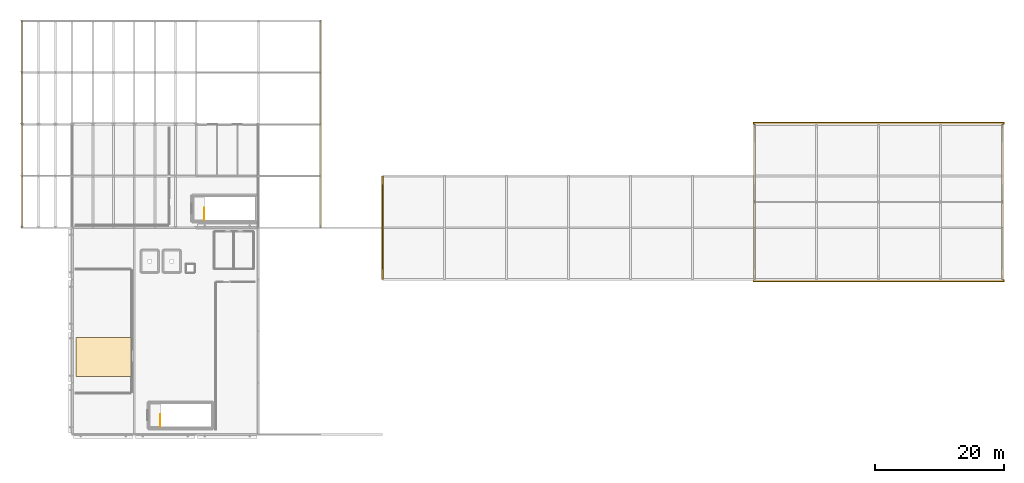
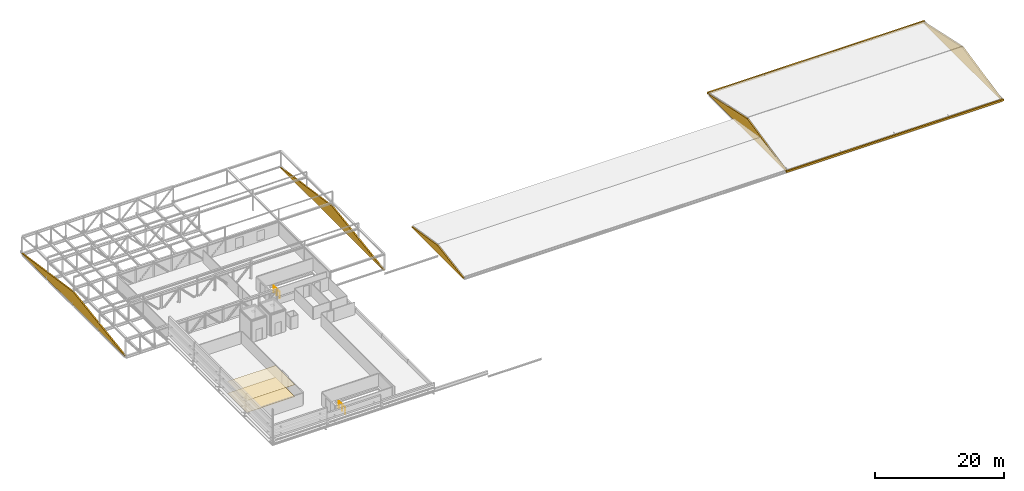
# One storey, part 34 of 34: 9 coverings, 2 railings.
"""IFC4 building model written with IfcOpenShell, lengths in metres."""

from ifc_helpers import new_model, si_unit, direction, frame, frame_2d, origin, origin_2d, place, context, subcontext, project, spatial, polyline, rectangle, circle, outline, extrude, material, layer, layer_set, type_object, element, save


model = new_model("IFC4")

# Units and contexts
model_context = context("Model", 3, precision=1e-05, world=origin(), true_north=direction((0.0, 1.0)))
body_context = subcontext(model_context, "Body", "Model", "MODEL_VIEW")
ifc_project = project(units=[si_unit("LENGTHUNIT", "METRE"), si_unit("AREAUNIT", "SQUARE_METRE"), si_unit("VOLUMEUNIT", "CUBIC_METRE"), si_unit("PLANEANGLEUNIT", "RADIAN"), si_unit("MASSUNIT", "GRAM", prefix="KILO")], contexts=[model_context])

# Site, building, storey
site_placement = place(None, origin())
site = spatial("IfcSite", under=ifc_project, at=site_placement, CompositionType="ELEMENT")
building_placement = place(site_placement, origin())
building = spatial("IfcBuilding", under=site, at=building_placement, Name="Alderhovde Museum", CompositionType="ELEMENT")
storey_placement = place(building_placement, frame((0.0, 0.0, 25.800048828125)))
storey = spatial("IfcBuildingStorey", under=building, at=storey_placement, Name="L05", CompositionType="ELEMENT", Elevation=25.800048828125)

# Coverings
ifc_material_1 = material(Name="Perforated Gypsum Acoustic Ceiling")
ifc_layer_1 = layer(ifc_material_1, 0.0400390625)
ifc_layer_set_1 = layer_set([ifc_layer_1], Name="Perforated Gypsum Acoustic Ceiling")
covering_type_1 = type_object("IfcCoveringType", Name="COV-CEIL-ACOU", PredefinedType="CEILING", material=ifc_layer_set_1)
covering_1_placement = place(storey_placement, frame((0.0, 0.0, 2.25)))
element("IfcCovering", 1, at=covering_1_placement, inside=storey, type_object=covering_type_1, Name="L05 Acoustic Gallery Ceiling 10", PredefinedType="CEILING", context=body_context, shape_type="SweptSolid", body=[
    extrude(outline(polyline([(10.199951171875, 57.0), (18.739990234375, 57.0), (18.739990234375, 63.0), (10.199951171875, 63.0), (10.199951171875, 57.0)])), origin(), (0.0, 0.0, 1.0), 0.0400390625),
])
ifc_material_2 = material(Name="Carved Jura Limestone Classical Cornice Moulding", Category="masonry")
ifc_layer_2 = layer(ifc_material_2, 0.280029296875)
ifc_layer_set_2 = layer_set([ifc_layer_2], Name="Carved Jura Limestone Classical Cornice Moulding")
covering_type_2 = type_object("IfcCoveringType", Name="COV-CORNICE-STONE", PredefinedType="MOLDING", material=ifc_layer_set_2)
for number, where, z_axis, x_axis, name in (
    (2, (115.0, 71.820068359375, -0.35009765625), (0.0, 0.0, 1.0), (1.0, 0.0, 0.0), "L05 Classical Beaux-Arts Limestone Cornice 11"),
    (3, (115.0, 96.179931640625, -0.35009765625), (0.0, 0.0, 1.0), (1.0, 0.0, 0.0), "L05 Classical Beaux-Arts Limestone Cornice 12"),
):
    element("IfcCovering", number, at=place(storey_placement, frame(where, z_axis=z_axis, x_axis=x_axis)), inside=storey, type_object=covering_type_2, Name=name, PredefinedType="MOLDING", context=body_context, shape_type="SweptSolid", body=[
        extrude(rectangle(XDim=38.800048828125, YDim=0.280029296875, at=frame_2d((19.39990234375, 0.0))), origin(), (0.0, 0.0, 1.0), 0.330078125),
    ])
ifc_material_3 = material(Name="Honed Nordic Granite Terrazzo Flooring", Category="masonry")
ifc_layer_3 = layer(ifc_material_3, 0.030029296875)
ifc_layer_set_3 = layer_set([ifc_layer_3], Name="Honed Nordic Granite Terrazzo Flooring")
covering_type_3 = type_object("IfcCoveringType", Name="COV-FLR-TERRAZZO", PredefinedType="FLOORING", material=ifc_layer_set_3)
covering_2_placement = place(storey_placement, origin())
element("IfcCovering", 4, at=covering_2_placement, inside=storey, type_object=covering_type_3, Name="L05 Granite Terrazzo Flooring 10", PredefinedType="FLOORING", context=body_context, shape_type="SweptSolid", body=[
    extrude(outline(polyline([(10.199951171875, 57.0), (18.739990234375, 57.0), (18.739990234375, 63.0), (10.199951171875, 63.0), (10.199951171875, 57.0)])), origin(), (0.0, 0.0, 1.0), 0.030029296875),
])
ifc_material_4 = material(Name="Carved Jura Limestone Gable Tympanum Cladding", Category="masonry")
ifc_layer_4 = layer(ifc_material_4, 0.239990234375)
ifc_layer_set_4 = layer_set([ifc_layer_4], Name="Carved Jura Limestone Gable Tympanum Cladding")
covering_type_4 = type_object("IfcCoveringType", Name="COV-TYMP-STONE", PredefinedType="CLADDING", material=ifc_layer_set_4)
covering_3_placement = place(storey_placement, frame((57.60009765625, 72.0, -0.400146484375), z_axis=(0.0, 0.0, 1.0), x_axis=(0.0, 1.0, 0.0)))
element("IfcCovering", 5, at=covering_3_placement, inside=storey, type_object=covering_type_4, Name="Conservatory Skybridge Gable Tympanum 7", PredefinedType="CLADDING", context=body_context, shape_type="SweptSolid", body=[
    extrude(outline(polyline([(0.0, 0.0), (16.0, 0.0), (16.0, 0.18017578125), (8.0, 1.47998046875), (0.0, 0.18017578125), (0.0, 0.0)])), frame((0.0, 0.1201171875, 0.0), z_axis=(0.0, -1.0, 0.0), x_axis=(1.0, 0.0, 0.0)), (0.0, 0.0, 1.0), 0.239990234375),
])
for number, where, z_axis, x_axis, name in (
    (6, (1.800048828125, 80.0, -0.35009765625), (0.0, 0.0, 1.0), (0.0, 1.0, 0.0), "Cantilevered Wing Gable Tympanum 8"),
    (7, (48.0, 80.0, -0.35009765625), (0.0, 0.0, 1.0), (0.0, 1.0, 0.0), "Cantilevered Wing Gable Tympanum 9"),
):
    element("IfcCovering", number, at=place(storey_placement, frame(where, z_axis=z_axis, x_axis=x_axis)), inside=storey, type_object=covering_type_4, Name=name, PredefinedType="CLADDING", context=body_context, shape_type="SweptSolid", body=[
        extrude(outline(polyline([(0.0, 0.0), (32.0, 0.0), (32.0, 0.130126953125), (16.0, 2.469970703125), (0.0, 0.130126953125), (0.0, 0.0)])), frame((0.0, 0.1201171875, 0.0), z_axis=(0.0, -1.0, 0.0), x_axis=(1.0, 0.0, 0.0)), (0.0, 0.0, 1.0), 0.239990234375),
    ])
for number, where, z_axis, x_axis, name in (
    (8, (115.199951171875, 72.0, -0.35009765625), (0.0, 0.0, 1.0), (0.0, 1.0, 0.0), "Conservation Pavilion Gable Tympanum 10"),
    (9, (153.60009765625, 72.0, -0.35009765625), (0.0, 0.0, 1.0), (0.0, 1.0, 0.0), "Conservation Pavilion Gable Tympanum 11"),
):
    element("IfcCovering", number, at=place(storey_placement, frame(where, z_axis=z_axis, x_axis=x_axis)), inside=storey, type_object=covering_type_4, Name=name, PredefinedType="CLADDING", context=body_context, shape_type="SweptSolid", body=[
        extrude(outline(polyline([(0.0, 0.0), (24.0, 0.0), (24.0, 0.130126953125), (12.0, 2.72998046875), (0.0, 0.130126953125), (0.0, 0.0)])), frame((0.0, 0.1201171875, 0.0), z_axis=(0.0, -1.0, 0.0), x_axis=(1.0, 0.0, 0.0)), (0.0, 0.0, 1.0), 0.239990234375),
    ])

# Railings
ifc_material_5 = material(Name="Painted Steel S355 Guardrail", Category="steel")
railing_type = type_object("IfcRailingType", Name="RL-GUARD-1200", PredefinedType="GUARDRAIL", material=ifc_material_5)
for number, where, name in (
    (10, (23.22998046875, 49.199951171875, 0.0), "L05 ST1 top well guard 1"),
    (11, (30.030029296875, 81.199951171875, 0.0), "L05 ST2 top well guard 1"),
):
    element("IfcRailing", number, at=place(storey_placement, frame(where)), inside=storey, type_object=railing_type, Name=name, PredefinedType="GUARDRAIL", context=body_context, shape_type="SweptSolid", body=[
        extrude(circle(Radius=0.02392578125, at=origin_2d()), frame((0.0, 0.0, 1.17578125), z_axis=(0.0, 1.0, 0.0), x_axis=(-1.0, 0.0, 0.0)), (0.0, 0.0, 1.0), 1.880126953125),
        extrude(circle(Radius=0.02099609375, at=origin_2d()), origin(), (0.0, 0.0, 1.0), 1.15185546875),
        extrude(circle(Radius=0.02099609375, at=origin_2d()), frame((0.0, 0.93994140625, 0.0)), (0.0, 0.0, 1.0), 1.15185546875),
        extrude(circle(Radius=0.02099609375, at=origin_2d()), frame((0.0, 1.880126953125, 0.0)), (0.0, 0.0, 1.0), 1.15185546875),
    ])

save(model, "model.ifc")
